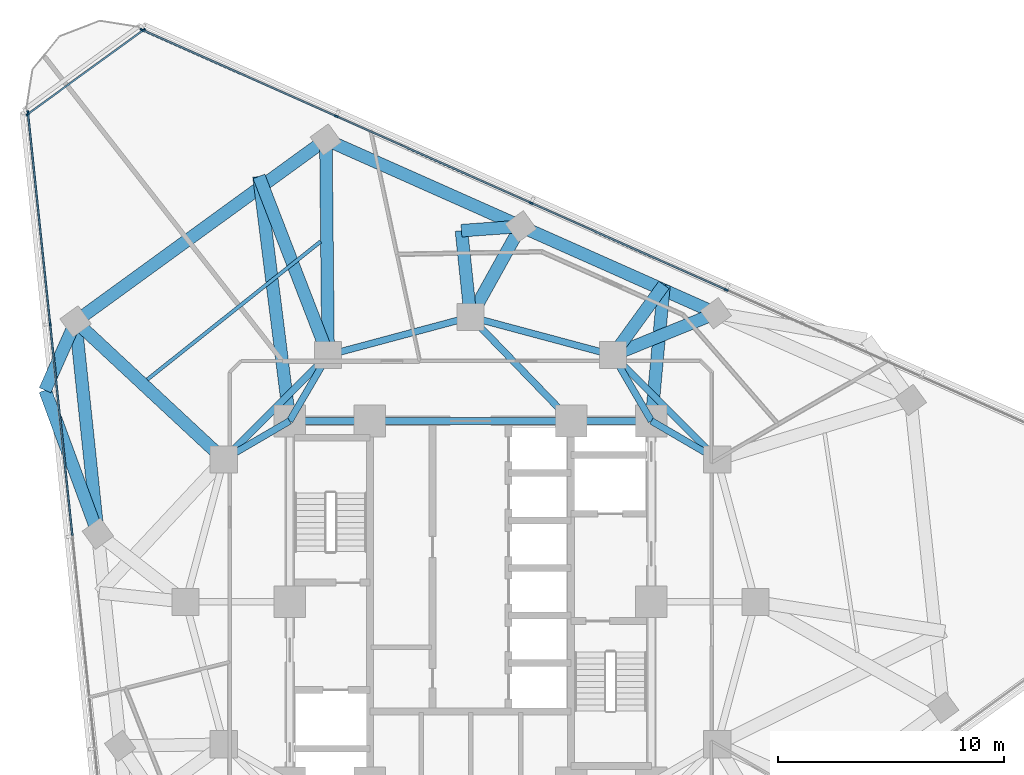
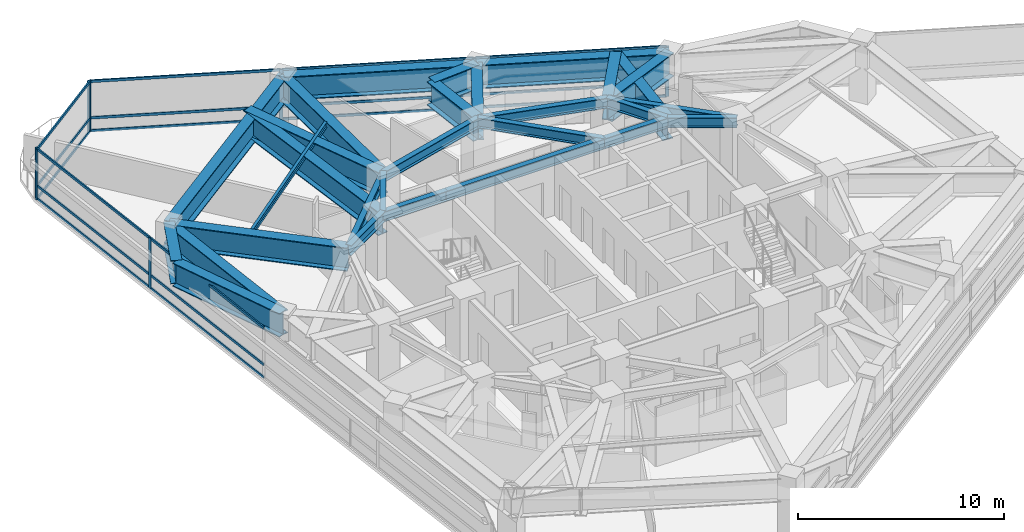
# One storey, part 5 of 14: 29 beams, 26 members, 3 elements without a shape of their own.
"""IFC4 building model written with IfcOpenShell, lengths in metres."""

import ifcopenshell
import ifcopenshell.guid

model = None  # the IFC model being written
_history = None  # IfcOwnerHistory: only IFC2X3 demands one
_inside = {}  # id of a spatial element -> (the spatial element, [elements in it])
_under = {}  # id of a project, library or spatial element -> (it, [spatial elements below it])
_declared = {}  # id of a project -> (the project, [libraries it declares])
_typed = {}  # id of a type object -> (the type object, [elements of that type])
_made_of = {}  # id of a material, layer set ... -> (it, [elements and type objects made of it])


def new_model(schema):
    """Start an empty IFC model of exactly this schema.

    Asked for "IFC4X3", IfcOpenShell would pick the latest addendum, in which some entities
    have other attributes; the version numbers below select the first issue.
    IFC2X3 requires an IfcOwnerHistory on every rooted entity: one is made here for all.
    """
    global model, _history
    if schema == "IFC4X3":
        model = ifcopenshell.file(schema_version=(4, 3, 0, 0))
    else:
        model = ifcopenshell.file(schema=schema)
    _inside.clear()
    _under.clear()
    _declared.clear()
    _typed.clear()
    _made_of.clear()
    _history = None
    if model.schema == "IFC2X3":
        org = make("IfcOrganization", Name="unknown")
        user = make(
            "IfcPersonAndOrganization",
            ThePerson=make("IfcPerson", FamilyName="unknown"),
            TheOrganization=org,
        )
        app = make(
            "IfcApplication",
            ApplicationDeveloper=org,
            Version="unknown",
            ApplicationFullName="unknown",
            ApplicationIdentifier="unknown",
        )
        _history = make(
            "IfcOwnerHistory",
            OwningUser=user,
            OwningApplication=app,
            ChangeAction="ADDED",
            CreationDate=0,
        )
    return model


def make(cls, **values):
    """One entity of the class cls with the attributes given. An attribute that is None is left unset."""
    return model.create_entity(
        cls, **{name: value for name, value in values.items() if value is not None}
    )


def rooted(cls, **values):
    """An entity with a GlobalId (a new one), such as an element, a storey or a relation."""
    return make(cls, GlobalId=ifcopenshell.guid.new(), OwnerHistory=_history, **values)


def si_unit(unit_type, name, prefix=None):
    """IfcSIUnit, for example si_unit("LENGTHUNIT", "METRE", prefix="MILLI")."""
    return make("IfcSIUnit", UnitType=unit_type, Prefix=prefix, Name=name)


def assignment(units):
    """IfcUnitAssignment: the units of a project."""
    return None if units is None else make("IfcUnitAssignment", Units=units)


def point(xyz):
    """IfcCartesianPoint."""
    return None if xyz is None else make("IfcCartesianPoint", Coordinates=xyz)


def direction(xyz):
    """IfcDirection."""
    return None if xyz is None else make("IfcDirection", DirectionRatios=xyz)


def frame(location, z_axis=None, x_axis=None):
    """IfcAxis2Placement3D, a coordinate frame: its origin and axes. An axis left out is left unset."""
    return make(
        "IfcAxis2Placement3D",
        Location=point(location),
        Axis=direction(z_axis),
        RefDirection=direction(x_axis),
    )


def frame_2d(location, x_axis=None):
    """IfcAxis2Placement2D, a coordinate frame in the plane: its origin and x axis."""
    return make(
        "IfcAxis2Placement2D", Location=point(location), RefDirection=direction(x_axis)
    )


def origin():
    """The frame at (0, 0, 0) with its axes left unset."""
    return frame((0.0, 0.0, 0.0))


def origin_2d():
    """The frame at (0, 0) in the plane with its x axis left unset."""
    return frame_2d((0.0, 0.0))


def place(relative_to, where):
    """IfcLocalPlacement: puts the frame where relative to a parent placement (None: the world)."""
    return make(
        "IfcLocalPlacement", PlacementRelTo=relative_to, RelativePlacement=where
    )


def context(
    kind, dimensions, precision=None, world=None, true_north=None, identifier=None
):
    """IfcGeometricRepresentationContext, for example the 3D "Model" context."""
    return make(
        "IfcGeometricRepresentationContext",
        ContextIdentifier=identifier,
        ContextType=kind,
        CoordinateSpaceDimension=dimensions,
        Precision=precision,
        WorldCoordinateSystem=world,
        TrueNorth=true_north,
    )


def subcontext(parent, identifier, kind, view, scale=None):
    """IfcGeometricRepresentationSubContext, for example "Body" below "Model"."""
    return make(
        "IfcGeometricRepresentationSubContext",
        ContextIdentifier=identifier,
        ContextType=kind,
        ParentContext=parent,
        TargetScale=scale,
        TargetView=view,
    )


def project(units=None, contexts=None):
    """IfcProject with its units and contexts."""
    return rooted(
        "IfcProject",
        Name="project",
        RepresentationContexts=contexts,
        UnitsInContext=assignment(units),
    )


def spatial(cls, under=None, at=None, **own):
    """A site, building, storey or space (cls), placed at a placement, below another one or the project."""
    s = rooted(cls, ObjectPlacement=at, **own)
    if under is not None:
        _under.setdefault(under.id(), (under, []))[1].append(s)
    return s


def profile(cls, at=None, kind="AREA", **sizes):
    """A parametric profile (cls). Its sizes go by their IFC names, for example OverallWidth=200.0."""
    return make(cls, ProfileType=kind, Position=at, **sizes)


def rectangle(**sizes):
    """IfcRectangleProfileDef."""
    return profile("IfcRectangleProfileDef", **sizes)


def i_section(**sizes):
    """IfcIShapeProfileDef."""
    return profile("IfcIShapeProfileDef", **sizes)


def extrude(swept, where, along, depth):
    """IfcExtrudedAreaSolid: the profile swept, set in the frame where, extruded along a direction by depth."""
    return make(
        "IfcExtrudedAreaSolid",
        SweptArea=swept,
        Position=where,
        ExtrudedDirection=direction(along),
        Depth=depth,
    )


def shape(context_of_items, identifier, shape_type, items):
    """IfcShapeRepresentation: the items that make up one representation, for example the "Body"."""
    return make(
        "IfcShapeRepresentation",
        ContextOfItems=context_of_items,
        RepresentationIdentifier=identifier,
        RepresentationType=shape_type,
        Items=items,
    )


def material(Name=None, Category=None):
    """IfcMaterial."""
    return make("IfcMaterial", Name=Name, Category=Category)


def layer(
    of_material, thickness, ventilated=None, Name=None, Category=None, Priority=None
):
    """IfcMaterialLayer: one layer of a wall or slab, of a material (None: an air gap)."""
    return make(
        "IfcMaterialLayer",
        Material=of_material,
        LayerThickness=thickness,
        IsVentilated=ventilated,
        Name=Name,
        Category=Category,
        Priority=Priority,
    )


def layer_set(layers, Name=None):
    """IfcMaterialLayerSet."""
    return make("IfcMaterialLayerSet", MaterialLayers=layers, LayerSetName=Name)


def material_profile(
    of_material, cross_section, Name=None, Category=None, Priority=None
):
    """IfcMaterialProfile: a cross section and its material."""
    return make(
        "IfcMaterialProfile",
        Name=Name,
        Material=of_material,
        Profile=cross_section,
        Priority=Priority,
        Category=Category,
    )


def profile_set(profiles, Name=None, composite=None):
    """IfcMaterialProfileSet."""
    return make(
        "IfcMaterialProfileSet",
        Name=Name,
        MaterialProfiles=profiles,
        CompositeProfile=composite,
    )


def made_of(thing, what):
    """Note that an element or type object is made of a material, layer set ...; save() writes the relation."""
    if what is not None:
        _made_of.setdefault(what.id(), (what, []))[1].append(thing)
    return thing


def type_object(cls, material=None, **own):
    """A type object (cls), such as IfcWallType, which elements share."""
    return made_of(rooted(cls, **own), material)


def element(
    cls,
    number,
    at=None,
    inside=None,
    cuts=None,
    type_object=None,
    material=None,
    context=None,
    identifier="Body",
    shape_type=None,
    held_by="IfcProductDefinitionShape",
    body=None,
    shapes=None,
    **own,
):
    """One element of the class cls, such as IfcWall. Its Tag is "e" and its number.

    at: its placement. inside: the storey or other place that contains it. cuts: it is an
    opening in that element (IfcRelVoidsElement). A single representation is given by context,
    identifier, shape_type and body (its items); several are given by shapes. held_by: the class
    of the entity that holds the representations. save() writes the other relations.
    """
    e = rooted(cls, Tag="e%d" % number, ObjectPlacement=at, **own)
    if body is not None:
        shapes = [shape(context, identifier, shape_type, body)]
    if shapes is not None:
        e.Representation = make(held_by, Representations=shapes)
    if inside is not None:
        _inside.setdefault(inside.id(), (inside, []))[1].append(e)
    if cuts is not None:
        rooted(
            "IfcRelVoidsElement", RelatingBuildingElement=cuts, RelatedOpeningElement=e
        )
    if type_object is not None:
        _typed.setdefault(type_object.id(), (type_object, []))[1].append(e)
    return made_of(e, material)


def aggregate(whole, parts):
    """IfcRelAggregates: a whole, such as a stair, and the parts it consists of."""
    return rooted("IfcRelAggregates", RelatingObject=whole, RelatedObjects=parts)


def save(model, path):
    """Write the relations noted so far, then the file.

    IfcRelAggregates (storeys below a building ...), IfcRelContainedInSpatialStructure (elements
    in a storey), IfcRelDefinesByType, IfcRelAssociatesMaterial and IfcRelDeclares: one each for
    every whole, place, type object, material and project.
    """
    for whole, parts in _under.values():
        aggregate(whole, parts)
    for where, things in _inside.values():
        rooted(
            "IfcRelContainedInSpatialStructure",
            RelatedElements=things,
            RelatingStructure=where,
        )
    for kind, things in _typed.values():
        rooted("IfcRelDefinesByType", RelatedObjects=things, RelatingType=kind)
    for what, things in _made_of.values():
        rooted("IfcRelAssociatesMaterial", RelatedObjects=things, RelatingMaterial=what)
    for by, libraries in _declared.values():
        rooted("IfcRelDeclares", RelatingContext=by, RelatedDefinitions=libraries)
    model.write(path)


model = new_model("IFC4")

# Units and contexts
model_context = context("Model", 3, precision=1e-05, world=origin(), true_north=direction((0.0, 1.0)))
body_context = subcontext(model_context, "Body", "Model", "MODEL_VIEW")
ifc_project = project(units=[si_unit("LENGTHUNIT", "METRE"), si_unit("AREAUNIT", "SQUARE_METRE"), si_unit("VOLUMEUNIT", "CUBIC_METRE"), si_unit("PLANEANGLEUNIT", "RADIAN"), si_unit("MASSUNIT", "GRAM", prefix="KILO")], contexts=[model_context])

# Site, building, storey
site_placement = place(None, origin())
site = spatial("IfcSite", under=ifc_project, at=site_placement, CompositionType="ELEMENT")
building_placement = place(site_placement, origin())
building = spatial("IfcBuilding", under=site, at=building_placement, Name="Terralouvre Media Tower", CompositionType="ELEMENT")
storey_placement = place(building_placement, frame((0.0, 0.0, 180.5)))
storey = spatial("IfcBuildingStorey", under=building, at=storey_placement, Name="L46", CompositionType="ELEMENT", Elevation=180.5)

# Beam
ifc_material_1 = material(Name="Structural steel S355J2", Category="steel")
ifc_material_profile_1 = material_profile(ifc_material_1, i_section(OverallWidth=0.159912109375, OverallDepth=0.330078125, WebThickness=0.007568359375, FlangeThickness=0.011474609375, at=origin_2d()), Name="IPE 330")
ifc_profile_set_1 = profile_set([ifc_material_profile_1], Name="Structural steel S355J2")
beam_type_1 = type_object("IfcBeamType", Name="Composite Floor Joist J-IPE330 (IPE 330)", PredefinedType="JOIST", material=ifc_profile_set_1)
beam_1_placement = place(storey_placement, frame((-6.629638671875, 15.935302734375, 3.3349609375), z_axis=(-0.782378144432, -0.622803692278, 0.0), x_axis=(0.622803692278, -0.782378144432, 0.0)))
element("IfcBeam", 1, at=beam_1_placement, inside=storey, type_object=beam_type_1, Name="L46 Framing Beam JT-L46-05", PredefinedType="JOIST", context=body_context, shape_type="SweptSolid", body=[
    extrude(i_section(OverallWidth=0.159912109375, OverallDepth=0.330078125, WebThickness=0.007568359375, FlangeThickness=0.011474609375, at=origin_2d()), origin(), (0.0, 0.0, 1.0), 9.80078125),
])

# Curtain wall, members
ifc_material_2 = material(Name="Low-iron laminated double glazing with solar-control coating", Category="glass")
ifc_layer_1 = layer(ifc_material_2, 0.1650390625, Name="Production Studio Tower Curtain Wall CW-03")
ifc_layer_set_1 = layer_set([ifc_layer_1], Name="Low-iron laminated double glazing with solar-control coating")
curtain_wall_type_1 = type_object("IfcCurtainWallType", Name="Production Studio Tower Curtain Wall CW-03", PredefinedType="NOTDEFINED", material=ifc_layer_set_1)
curtain_wall_1_placement = place(storey_placement, origin())
curtain_wall_1 = element("IfcCurtainWall", 2, at=curtain_wall_1_placement, inside=storey, type_object=curtain_wall_type_1, Name="L46 Facade Curtain Wall F1", PredefinedType="NOTDEFINED")
ifc_material_3 = material(Name="Anodised extruded aluminium 6063-T6", Category="aluminium")
ifc_material_profile_2 = material_profile(ifc_material_3, rectangle(XDim=0.074951171875, YDim=0.14990234375, at=origin_2d()), Name="ALU 75x150")
ifc_profile_set_2 = profile_set([ifc_material_profile_2], Name="Anodised extruded aluminium 6063-T6")
member_type_1 = type_object("IfcMemberType", Name="Curtain-Wall Horizontal Transom TR-150", PredefinedType="USERDEFINED", material=ifc_profile_set_2)
member_1_placement = place(storey_placement, frame((11.27587890625, 13.8134765625, 0.03759765625), z_axis=(-0.913546899195, 0.40673340528, 0.0), x_axis=(-0.40673340528, -0.913546899195, 0.0)))
member_1 = element("IfcMember", 3, at=member_1_placement, type_object=member_type_1, Name="CW-03 transom 3.1", ObjectType="TRANSOM", PredefinedType="USERDEFINED", context=body_context, shape_type="SweptSolid", body=[
    extrude(rectangle(XDim=0.074951171875, YDim=0.14990234375, at=origin_2d()), origin(), (0.0, 0.0, 1.0), 9.364990234375),
])
member_2_placement = place(storey_placement, frame((11.27587890625, 13.8134765625, 0.800048828125), z_axis=(-0.913546899195, 0.40673340528, 0.0), x_axis=(-0.40673340528, -0.913546899195, 0.0)))
member_2 = element("IfcMember", 4, at=member_2_placement, type_object=member_type_1, Name="CW-03 transom 3.2", ObjectType="TRANSOM", PredefinedType="USERDEFINED", context=body_context, shape_type="SweptSolid", body=[
    extrude(rectangle(XDim=0.074951171875, YDim=0.14990234375, at=origin_2d()), origin(), (0.0, 0.0, 1.0), 9.364990234375),
])
member_3_placement = place(storey_placement, frame((11.27587890625, 13.8134765625, 2.96240234375), z_axis=(-0.913546899195, 0.40673340528, 0.0), x_axis=(-0.40673340528, -0.913546899195, 0.0)))
member_3 = element("IfcMember", 5, at=member_3_placement, type_object=member_type_1, Name="CW-03 transom 3.3", ObjectType="TRANSOM", PredefinedType="USERDEFINED", context=body_context, shape_type="SweptSolid", body=[
    extrude(rectangle(XDim=0.074951171875, YDim=0.14990234375, at=origin_2d()), origin(), (0.0, 0.0, 1.0), 9.364990234375),
])
member_4_placement = place(storey_placement, frame((2.65185546875, 17.653076171875, 0.03759765625), z_axis=(-0.913546899195, 0.40673340528, 0.0), x_axis=(-0.40673340528, -0.913546899195, 0.0)))
member_4 = element("IfcMember", 6, at=member_4_placement, type_object=member_type_1, Name="CW-03 transom 4.1", ObjectType="TRANSOM", PredefinedType="USERDEFINED", context=body_context, shape_type="SweptSolid", body=[
    extrude(rectangle(XDim=0.074951171875, YDim=0.14990234375, at=origin_2d()), origin(), (0.0, 0.0, 1.0), 9.364990234375),
])
member_5_placement = place(storey_placement, frame((2.65185546875, 17.653076171875, 0.800048828125), z_axis=(-0.913546899195, 0.40673340528, 0.0), x_axis=(-0.40673340528, -0.913546899195, 0.0)))
member_5 = element("IfcMember", 7, at=member_5_placement, type_object=member_type_1, Name="CW-03 transom 4.2", ObjectType="TRANSOM", PredefinedType="USERDEFINED", context=body_context, shape_type="SweptSolid", body=[
    extrude(rectangle(XDim=0.074951171875, YDim=0.14990234375, at=origin_2d()), origin(), (0.0, 0.0, 1.0), 9.364990234375),
])
member_6_placement = place(storey_placement, frame((2.65185546875, 17.653076171875, 2.96240234375), z_axis=(-0.913546899195, 0.40673340528, 0.0), x_axis=(-0.40673340528, -0.913546899195, 0.0)))
member_6 = element("IfcMember", 8, at=member_6_placement, type_object=member_type_1, Name="CW-03 transom 4.3", ObjectType="TRANSOM", PredefinedType="USERDEFINED", context=body_context, shape_type="SweptSolid", body=[
    extrude(rectangle(XDim=0.074951171875, YDim=0.14990234375, at=origin_2d()), origin(), (0.0, 0.0, 1.0), 9.364990234375),
])
member_7_placement = place(storey_placement, frame((-5.971923828125, 21.49267578125, 0.03759765625), z_axis=(-0.913553401339, 0.406718800774, 0.0), x_axis=(-0.406718800774, -0.913553401339, 0.0)))
member_7 = element("IfcMember", 9, at=member_7_placement, type_object=member_type_1, Name="CW-03 transom 5.1", ObjectType="TRANSOM", PredefinedType="USERDEFINED", context=body_context, shape_type="SweptSolid", body=[
    extrude(rectangle(XDim=0.074951171875, YDim=0.14990234375, at=origin_2d()), origin(), (0.0, 0.0, 1.0), 9.32763671875),
])
member_8_placement = place(storey_placement, frame((-5.971923828125, 21.49267578125, 0.800048828125), z_axis=(-0.913553401339, 0.406718800774, 0.0), x_axis=(-0.406718800774, -0.913553401339, 0.0)))
member_8 = element("IfcMember", 10, at=member_8_placement, type_object=member_type_1, Name="CW-03 transom 5.2", ObjectType="TRANSOM", PredefinedType="USERDEFINED", context=body_context, shape_type="SweptSolid", body=[
    extrude(rectangle(XDim=0.074951171875, YDim=0.14990234375, at=origin_2d()), origin(), (0.0, 0.0, 1.0), 9.32763671875),
])
member_9_placement = place(storey_placement, frame((-5.971923828125, 21.49267578125, 2.96240234375), z_axis=(-0.913553401339, 0.406718800774, 0.0), x_axis=(-0.406718800774, -0.913553401339, 0.0)))
member_9 = element("IfcMember", 11, at=member_9_placement, type_object=member_type_1, Name="CW-03 transom 5.3", ObjectType="TRANSOM", PredefinedType="USERDEFINED", context=body_context, shape_type="SweptSolid", body=[
    extrude(rectangle(XDim=0.074951171875, YDim=0.14990234375, at=origin_2d()), origin(), (0.0, 0.0, 1.0), 9.32763671875),
])

curtain_wall_2_placement = place(storey_placement, origin())
curtain_wall_2 = element("IfcCurtainWall", 12, at=curtain_wall_2_placement, inside=storey, type_object=curtain_wall_type_1, Name="L46 Facade Curtain Wall F2", PredefinedType="NOTDEFINED")
member_10_placement = place(storey_placement, frame((-19.5703125, 21.59765625, 0.03759765625), z_axis=(0.104540358364, -0.994520645071, 0.0), x_axis=(0.994520645071, 0.104540358364, 0.0)))
member_10 = element("IfcMember", 13, at=member_10_placement, type_object=member_type_1, Name="CW-03 transom 1.1", ObjectType="TRANSOM", PredefinedType="USERDEFINED", context=body_context, shape_type="SweptSolid", body=[
    extrude(rectangle(XDim=0.074951171875, YDim=0.14990234375, at=origin_2d()), origin(), (0.0, 0.0, 1.0), 9.327392578125),
])
member_11_placement = place(storey_placement, frame((-19.5703125, 21.59765625, 0.800048828125), z_axis=(0.104540358364, -0.994520645071, 0.0), x_axis=(0.994520645071, 0.104540358364, 0.0)))
member_11 = element("IfcMember", 14, at=member_11_placement, type_object=member_type_1, Name="CW-03 transom 1.2", ObjectType="TRANSOM", PredefinedType="USERDEFINED", context=body_context, shape_type="SweptSolid", body=[
    extrude(rectangle(XDim=0.074951171875, YDim=0.14990234375, at=origin_2d()), origin(), (0.0, 0.0, 1.0), 9.327392578125),
])
member_12_placement = place(storey_placement, frame((-19.5703125, 21.59765625, 2.96240234375), z_axis=(0.104540358364, -0.994520645071, 0.0), x_axis=(0.994520645071, 0.104540358364, 0.0)))
member_12 = element("IfcMember", 15, at=member_12_placement, type_object=member_type_1, Name="CW-03 transom 1.3", ObjectType="TRANSOM", PredefinedType="USERDEFINED", context=body_context, shape_type="SweptSolid", body=[
    extrude(rectangle(XDim=0.074951171875, YDim=0.14990234375, at=origin_2d()), origin(), (0.0, 0.0, 1.0), 9.327392578125),
])
member_13_placement = place(storey_placement, frame((-18.58740234375, 12.24658203125, 0.03759765625), z_axis=(0.104538223456, -0.994520869483, 0.0), x_axis=(0.994520869483, 0.104538223456, 0.0)))
member_13 = element("IfcMember", 16, at=member_13_placement, type_object=member_type_1, Name="CW-03 transom 2.1", ObjectType="TRANSOM", PredefinedType="USERDEFINED", context=body_context, shape_type="SweptSolid", body=[
    extrude(rectangle(XDim=0.074951171875, YDim=0.14990234375, at=origin_2d()), origin(), (0.0, 0.0, 1.0), 9.364990234375),
])
member_14_placement = place(storey_placement, frame((-18.58740234375, 12.24658203125, 0.800048828125), z_axis=(0.104538223456, -0.994520869483, 0.0), x_axis=(0.994520869483, 0.104538223456, 0.0)))
member_14 = element("IfcMember", 17, at=member_14_placement, type_object=member_type_1, Name="CW-03 transom 2.2", ObjectType="TRANSOM", PredefinedType="USERDEFINED", context=body_context, shape_type="SweptSolid", body=[
    extrude(rectangle(XDim=0.074951171875, YDim=0.14990234375, at=origin_2d()), origin(), (0.0, 0.0, 1.0), 9.364990234375),
])
member_15_placement = place(storey_placement, frame((-18.58740234375, 12.24658203125, 2.96240234375), z_axis=(0.104538223456, -0.994520869483, 0.0), x_axis=(0.994520869483, 0.104538223456, 0.0)))
member_15 = element("IfcMember", 18, at=member_15_placement, type_object=member_type_1, Name="CW-03 transom 2.3", ObjectType="TRANSOM", PredefinedType="USERDEFINED", context=body_context, shape_type="SweptSolid", body=[
    extrude(rectangle(XDim=0.074951171875, YDim=0.14990234375, at=origin_2d()), origin(), (0.0, 0.0, 1.0), 9.364990234375),
])

ifc_material_4 = material(Name="Low-iron laminated double glazing with solar-control coating", Category="glass")
ifc_layer_2 = layer(ifc_material_4, 0.1650390625, Name="Rounded Wind-Corner Curved Glazing CW-04")
ifc_layer_set_2 = layer_set([ifc_layer_2], Name="Low-iron laminated double glazing with solar-control coating")
curtain_wall_type_2 = type_object("IfcCurtainWallType", Name="Rounded Wind-Corner Curved Glazing CW-04", PredefinedType="NOTDEFINED", material=ifc_layer_set_2)
curtain_wall_3_placement = place(storey_placement, origin())
curtain_wall_3 = element("IfcCurtainWall", 19, at=curtain_wall_3_placement, inside=storey, type_object=curtain_wall_type_2, Name="L46 Rounded Wind-Corner Curtain Wall C2", PredefinedType="NOTDEFINED")
member_16_placement = place(storey_placement, frame((-14.4912109375, 25.269287109375, 0.03759765625), z_axis=(-0.809012644162, -0.587791239801, 0.0), x_axis=(0.587791239801, -0.809012644162, 0.0)))
member_16 = element("IfcMember", 20, at=member_16_placement, type_object=member_type_1, Name="CW-04 transom 1.1", ObjectType="TRANSOM", PredefinedType="USERDEFINED", context=body_context, shape_type="SweptSolid", body=[
    extrude(rectangle(XDim=0.074951171875, YDim=0.14990234375, at=origin_2d()), origin(), (0.0, 0.0, 1.0), 6.258544921875),
])
member_17_placement = place(storey_placement, frame((-14.4912109375, 25.269287109375, 0.800048828125), z_axis=(-0.809012644162, -0.587791239801, 0.0), x_axis=(0.587791239801, -0.809012644162, 0.0)))
member_17 = element("IfcMember", 21, at=member_17_placement, type_object=member_type_1, Name="CW-04 transom 1.2", ObjectType="TRANSOM", PredefinedType="USERDEFINED", context=body_context, shape_type="SweptSolid", body=[
    extrude(rectangle(XDim=0.074951171875, YDim=0.14990234375, at=origin_2d()), origin(), (0.0, 0.0, 1.0), 6.258544921875),
])
member_18_placement = place(storey_placement, frame((-14.4912109375, 25.269287109375, 2.96240234375), z_axis=(-0.809012644162, -0.587791239801, 0.0), x_axis=(0.587791239801, -0.809012644162, 0.0)))
member_18 = element("IfcMember", 22, at=member_18_placement, type_object=member_type_1, Name="CW-04 transom 1.3", ObjectType="TRANSOM", PredefinedType="USERDEFINED", context=body_context, shape_type="SweptSolid", body=[
    extrude(rectangle(XDim=0.074951171875, YDim=0.14990234375, at=origin_2d()), origin(), (0.0, 0.0, 1.0), 6.258544921875),
])

# Member
ifc_material_5 = material(Name="Anodised extruded aluminium 6063-T6", Category="aluminium")
ifc_material_profile_3 = material_profile(ifc_material_5, rectangle(XDim=0.074951171875, YDim=0.179931640625, at=origin_2d()), Name="ALU 75x180")
ifc_profile_set_3 = profile_set([ifc_material_profile_3], Name="Anodised extruded aluminium 6063-T6")
member_type_2 = type_object("IfcMemberType", Name="Curtain-Wall Vertical Mullion ML-180", PredefinedType="MULLION", material=ifc_profile_set_3)
member_19_placement = place(storey_placement, frame((11.31005859375, 13.798095703125, 0.0), z_axis=(0.0, 0.0, 1.0), x_axis=(-0.406736616337, -0.913545469547, 0.0)))
member_19 = element("IfcMember", 23, at=member_19_placement, type_object=member_type_2, Name="CW-03 mullion 3", PredefinedType="MULLION", context=body_context, shape_type="SweptSolid", body=[
    extrude(rectangle(XDim=0.074951171875, YDim=0.179931640625, at=origin_2d()), origin(), (0.0, 0.0, 1.0), 3.0),
])

member_20_placement = place(storey_placement, frame((2.686279296875, 17.6376953125, 0.0), z_axis=(0.0, 0.0, 1.0), x_axis=(-0.406736616337, -0.913545469547, 0.0)))
member_20 = element("IfcMember", 24, at=member_20_placement, type_object=member_type_2, Name="CW-03 mullion 4", PredefinedType="MULLION", context=body_context, shape_type="SweptSolid", body=[
    extrude(rectangle(XDim=0.074951171875, YDim=0.179931640625, at=origin_2d()), origin(), (0.0, 0.0, 1.0), 3.0),
])

member_21_placement = place(storey_placement, frame((-5.937744140625, 21.477294921875, 0.0), z_axis=(0.0, 0.0, 1.0), x_axis=(-0.406736616337, -0.913545469547, 0.0)))
member_21 = element("IfcMember", 25, at=member_21_placement, type_object=member_type_2, Name="CW-03 mullion 5", PredefinedType="MULLION", context=body_context, shape_type="SweptSolid", body=[
    extrude(rectangle(XDim=0.074951171875, YDim=0.179931640625, at=origin_2d()), origin(), (0.0, 0.0, 1.0), 3.0),
])

member_22_placement = place(storey_placement, frame((-14.52734375, 25.3017578125, 0.0), z_axis=(0.0, 0.0, 1.0), x_axis=(-0.406736616337, -0.913545469547, 0.0)))
member_22 = element("IfcMember", 26, at=member_22_placement, type_object=member_type_2, Name="CW-03 mullion 6", PredefinedType="MULLION", context=body_context, shape_type="SweptSolid", body=[
    extrude(rectangle(XDim=0.074951171875, YDim=0.179931640625, at=origin_2d()), origin(), (0.0, 0.0, 1.0), 3.0),
])

aggregate(curtain_wall_1, [member_19, member_20, member_21, member_22, member_1, member_2, member_3, member_4, member_5, member_6, member_7, member_8, member_9])

member_23_placement = place(storey_placement, frame((-19.57421875, 21.635009765625, 0.0), z_axis=(0.0, 0.0, 1.0), x_axis=(0.994521904516, 0.104528376236, 0.0)))
member_23 = element("IfcMember", 27, at=member_23_placement, type_object=member_type_2, Name="CW-03 mullion 1", PredefinedType="MULLION", context=body_context, shape_type="SweptSolid", body=[
    extrude(rectangle(XDim=0.074951171875, YDim=0.179931640625, at=origin_2d()), origin(), (0.0, 0.0, 1.0), 3.0),
])

member_24_placement = place(storey_placement, frame((-18.59130859375, 12.283935546875, 0.0), z_axis=(0.0, 0.0, 1.0), x_axis=(0.994521904516, 0.104528376236, 0.0)))
member_24 = element("IfcMember", 28, at=member_24_placement, type_object=member_type_2, Name="CW-03 mullion 2", PredefinedType="MULLION", context=body_context, shape_type="SweptSolid", body=[
    extrude(rectangle(XDim=0.074951171875, YDim=0.179931640625, at=origin_2d()), origin(), (0.0, 0.0, 1.0), 3.0),
])

aggregate(curtain_wall_2, [member_23, member_24, member_10, member_11, member_12, member_13, member_14, member_15])

member_25_placement = place(storey_placement, frame((-14.4609375, 25.291259765625, 0.0), z_axis=(0.0, 0.0, 1.0), x_axis=(0.587784641221, -0.809017438344, 0.0)))
member_25 = element("IfcMember", 29, at=member_25_placement, type_object=member_type_2, Name="CW-04 mullion 1", PredefinedType="MULLION", context=body_context, shape_type="SweptSolid", body=[
    extrude(rectangle(XDim=0.074951171875, YDim=0.179931640625, at=origin_2d()), origin(), (0.0, 0.0, 1.0), 3.0),
])

member_26_placement = place(storey_placement, frame((-19.584716796875, 21.568603515625, 0.0), z_axis=(0.0, 0.0, 1.0), x_axis=(0.587784641221, -0.809017438344, 0.0)))
member_26 = element("IfcMember", 30, at=member_26_placement, type_object=member_type_2, Name="CW-04 mullion 2", PredefinedType="MULLION", context=body_context, shape_type="SweptSolid", body=[
    extrude(rectangle(XDim=0.074951171875, YDim=0.179931640625, at=origin_2d()), origin(), (0.0, 0.0, 1.0), 3.0),
])

aggregate(curtain_wall_3, [member_25, member_26, member_16, member_17, member_18])

# Beams
ifc_material_6 = material(Name="Structural steel S460M", Category="steel")
ifc_material_profile_4 = material_profile(ifc_material_6, i_section(OverallWidth=0.300048828125, OverallDepth=0.60009765625, WebThickness=0.015380859375, FlangeThickness=0.030029296875, at=origin_2d()), Name="HEB 600")
ifc_profile_set_4 = profile_set([ifc_material_profile_4], Name="Structural steel S460M")
beam_type_2 = type_object("IfcBeamType", Name="Primary Floor Girder B-HEB600 (HEB 600)", PredefinedType="BEAM", material=ifc_profile_set_4)
beam_2_placement = place(storey_placement, frame((8.0, 8.0, 3.199951171875), z_axis=(-1.0, 0.0, 0.0), x_axis=(0.0, -1.0, 0.0)))
element("IfcBeam", 31, at=beam_2_placement, inside=storey, type_object=beam_type_2, Name="L46 Framing Beam BM-L46-CPR06", PredefinedType="BEAM", context=body_context, shape_type="SweptSolid", body=[
    extrude(i_section(OverallWidth=0.300048828125, OverallDepth=0.60009765625, WebThickness=0.015380859375, FlangeThickness=0.030029296875, at=origin_2d()), origin(), (0.0, 0.0, 1.0), 3.550048828125),
])
beam_3_placement = place(storey_placement, frame((4.449951171875, 8.0, 3.199951171875), z_axis=(-1.0, 0.0, 0.0), x_axis=(0.0, -1.0, 0.0)))
element("IfcBeam", 32, at=beam_3_placement, inside=storey, type_object=beam_type_2, Name="L46 Framing Beam BM-L46-CPR07", PredefinedType="BEAM", context=body_context, shape_type="SweptSolid", body=[
    extrude(i_section(OverallWidth=0.300048828125, OverallDepth=0.60009765625, WebThickness=0.015380859375, FlangeThickness=0.030029296875, at=origin_2d()), origin(), (0.0, 0.0, 1.0), 8.89990234375),
])
beam_4_placement = place(storey_placement, frame((-4.449951171875, 8.0, 3.199951171875), z_axis=(-1.0, 0.0, 0.0), x_axis=(0.0, -1.0, 0.0)))
element("IfcBeam", 33, at=beam_4_placement, inside=storey, type_object=beam_type_2, Name="L46 Framing Beam BM-L46-CPR08", PredefinedType="BEAM", context=body_context, shape_type="SweptSolid", body=[
    extrude(i_section(OverallWidth=0.300048828125, OverallDepth=0.60009765625, WebThickness=0.015380859375, FlangeThickness=0.030029296875, at=origin_2d()), origin(), (0.0, 0.0, 1.0), 3.550048828125),
])
beam_5_placement = place(storey_placement, frame((10.911865234375, 6.300048828125, 3.199951171875), z_axis=(-0.707106781187, 0.707106781187, 0.0), x_axis=(-0.707106781187, -0.707106781187, 0.0)))
element("IfcBeam", 34, at=beam_5_placement, inside=storey, type_object=beam_type_2, Name="L46 Framing Beam BM-L46-MR07", PredefinedType="BEAM", context=body_context, shape_type="SweptSolid", body=[
    extrude(i_section(OverallWidth=0.300048828125, OverallDepth=0.60009765625, WebThickness=0.015380859375, FlangeThickness=0.030029296875, at=origin_2d()), origin(), (0.0, 0.0, 1.0), 6.52197265625),
])
for number, where, z_axis, x_axis, name in (
    (35, (6.300048828125, 10.911865234375, 3.199951171875), (-0.965920481897, 0.258838989821, 0.0), (-0.258838989821, -0.965920481897, 0.0), "L46 Framing Beam BM-L46-MR08"),
    (36, (0.0, 12.60009765625, 3.199951171875), (-0.965920481897, -0.258838989821, 0.0), (0.258838989821, -0.965920481897, 0.0), "L46 Framing Beam BM-L46-MR09"),
):
    element("IfcBeam", number, at=place(storey_placement, frame(where, z_axis=z_axis, x_axis=x_axis)), inside=storey, type_object=beam_type_2, Name=name, PredefinedType="BEAM", context=body_context, shape_type="SweptSolid", body=[
        extrude(i_section(OverallWidth=0.300048828125, OverallDepth=0.60009765625, WebThickness=0.015380859375, FlangeThickness=0.030029296875, at=origin_2d()), origin(), (0.0, 0.0, 1.0), 6.522216796875),
    ])
beam_6_placement = place(storey_placement, frame((-6.300048828125, 10.911865234375, 3.199951171875), z_axis=(-0.707106781187, -0.707106781187, 0.0), x_axis=(0.707106781187, -0.707106781187, 0.0)))
element("IfcBeam", 37, at=beam_6_placement, inside=storey, type_object=beam_type_2, Name="L46 Framing Beam BM-L46-MR10", PredefinedType="BEAM", context=body_context, shape_type="SweptSolid", body=[
    extrude(i_section(OverallWidth=0.300048828125, OverallDepth=0.60009765625, WebThickness=0.015380859375, FlangeThickness=0.030029296875, at=origin_2d()), origin(), (0.0, 0.0, 1.0), 6.52197265625),
])
for number, where, z_axis, x_axis, name in (
    (38, (8.0, 8.0, 3.199951171875), (0.863602894532, -0.504172629717, 0.0), (0.504172629717, 0.863602894532, 0.0), "L46 Framing Beam BM-L46-CM07"),
    (39, (8.0, 8.0, 3.199951171875), (-0.504172629717, 0.863602894532, 0.0), (-0.863602894532, -0.504172629717, 0.0), "L46 Framing Beam BM-L46-CM08"),
):
    element("IfcBeam", number, at=place(storey_placement, frame(where, z_axis=z_axis, x_axis=x_axis)), inside=storey, type_object=beam_type_2, Name=name, PredefinedType="BEAM", context=body_context, shape_type="SweptSolid", body=[
        extrude(i_section(OverallWidth=0.300048828125, OverallDepth=0.60009765625, WebThickness=0.015380859375, FlangeThickness=0.030029296875, at=origin_2d()), origin(), (0.0, 0.0, 1.0), 3.371826171875),
    ])
beam_7_placement = place(storey_placement, frame((4.449951171875, 8.0, 3.199951171875), z_axis=(-0.695279715726, 0.718739255155, 0.0), x_axis=(-0.718739255155, -0.695279715726, 0.0)))
element("IfcBeam", 40, at=beam_7_placement, inside=storey, type_object=beam_type_2, Name="L46 Framing Beam BM-L46-CM09", PredefinedType="BEAM", context=body_context, shape_type="SweptSolid", body=[
    extrude(i_section(OverallWidth=0.300048828125, OverallDepth=0.60009765625, WebThickness=0.015380859375, FlangeThickness=0.030029296875, at=origin_2d()), origin(), (0.0, 0.0, 1.0), 6.400146484375),
])
for number, where, z_axis, x_axis, name in (
    (41, (-8.0, 8.0, 3.199951171875), (0.504172629717, 0.863602894532, 0.0), (-0.863602894532, 0.504172629717, 0.0), "L46 Framing Beam BM-L46-CM10"),
    (42, (-8.0, 8.0, 3.199951171875), (-0.863602894532, -0.504172629717, 0.0), (0.504172629717, -0.863602894532, 0.0), "L46 Framing Beam BM-L46-CM11"),
):
    element("IfcBeam", number, at=place(storey_placement, frame(where, z_axis=z_axis, x_axis=x_axis)), inside=storey, type_object=beam_type_2, Name=name, PredefinedType="BEAM", context=body_context, shape_type="SweptSolid", body=[
        extrude(i_section(OverallWidth=0.300048828125, OverallDepth=0.60009765625, WebThickness=0.015380859375, FlangeThickness=0.030029296875, at=origin_2d()), origin(), (0.0, 0.0, 1.0), 3.371826171875),
    ])
ifc_material_7 = material(Name="Structural steel S460M", Category="steel")
ifc_material_profile_5 = material_profile(ifc_material_7, i_section(OverallWidth=0.56005859375, OverallDepth=1.39990234375, WebThickness=0.031982421875, FlangeThickness=0.050048828125, at=origin_2d()), Name="TG 1400x560")
ifc_profile_set_5 = profile_set([ifc_material_profile_5], Name="Structural steel S460M")
beam_type_3 = type_object("IfcBeamType", Name="Welded Transfer Girder TG-1400 (TG 1400x560)", PredefinedType="USERDEFINED", material=ifc_profile_set_5)
for number, where, z_axis, x_axis, name in (
    (43, (10.850341796875, 12.765869140625, 2.800048828125), (-0.913543659167, 0.406740682494, 0.0), (-0.406740682494, -0.913543659167, 0.0), "L46 Framing Beam BM-L46-PR08"),
    (44, (2.2265625, 16.60546875, 2.800048828125), (-0.913543659167, 0.406740682494, 0.0), (-0.406740682494, -0.913543659167, 0.0), "L46 Framing Beam BM-L46-PR09"),
):
    element("IfcBeam", number, at=place(storey_placement, frame(where, z_axis=z_axis, x_axis=x_axis)), inside=storey, type_object=beam_type_3, Name=name, ObjectType="TRANSFER GIRDER", PredefinedType="USERDEFINED", context=body_context, shape_type="SweptSolid", body=[
        extrude(i_section(OverallWidth=0.56005859375, OverallDepth=1.39990234375, WebThickness=0.031982421875, FlangeThickness=0.050048828125, at=origin_2d()), origin(), (0.0, 0.0, 1.0), 9.43994140625),
    ])
beam_8_placement = place(storey_placement, frame((-6.397216796875, 20.445068359375, 2.800048828125), z_axis=(-0.80901991627, -0.587781230628, 0.0), x_axis=(0.587781230628, -0.80901991627, 0.0)))
element("IfcBeam", 45, at=beam_8_placement, inside=storey, type_object=beam_type_3, Name="L46 Framing Beam BM-L46-PR10", ObjectType="TRANSFER GIRDER", PredefinedType="USERDEFINED", context=body_context, shape_type="SweptSolid", body=[
    extrude(i_section(OverallWidth=0.56005859375, OverallDepth=1.39990234375, WebThickness=0.031982421875, FlangeThickness=0.050048828125, at=origin_2d()), origin(), (0.0, 0.0, 1.0), 13.68359375),
])
beam_9_placement = place(storey_placement, frame((-17.467529296875, 12.402099609375, 2.800048828125), z_axis=(0.10453669331, -0.994521030321, 0.0), x_axis=(0.994521030321, 0.10453669331, 0.0)))
element("IfcBeam", 46, at=beam_9_placement, inside=storey, type_object=beam_type_3, Name="L46 Framing Beam BM-L46-PR11", ObjectType="TRANSFER GIRDER", PredefinedType="USERDEFINED", context=body_context, shape_type="SweptSolid", body=[
    extrude(i_section(OverallWidth=0.56005859375, OverallDepth=1.39990234375, WebThickness=0.031982421875, FlangeThickness=0.050048828125, at=origin_2d()), origin(), (0.0, 0.0, 1.0), 9.43994140625),
])
beam_10_placement = place(storey_placement, frame((6.300048828125, 10.911865234375, 2.800048828125), z_axis=(0.926079498884, 0.377328453403, 0.0), x_axis=(-0.377328453403, 0.926079498884, 0.0)))
element("IfcBeam", 47, at=beam_10_placement, inside=storey, type_object=beam_type_3, Name="L46 Framing Beam BM-L46-RD08", ObjectType="TRANSFER GIRDER", PredefinedType="USERDEFINED", context=body_context, shape_type="SweptSolid", body=[
    extrude(i_section(OverallWidth=0.56005859375, OverallDepth=1.39990234375, WebThickness=0.031982421875, FlangeThickness=0.050048828125, at=origin_2d()), origin(), (0.0, 0.0, 1.0), 4.91357421875),
])
beam_11_placement = place(storey_placement, frame((0.0, 12.60009765625, 2.800048828125), z_axis=(0.485869082881, 0.874031597999, 0.0), x_axis=(-0.874031597999, 0.485869082881, 0.0)))
element("IfcBeam", 48, at=beam_11_placement, inside=storey, type_object=beam_type_3, Name="L46 Framing Beam BM-L46-RD09", ObjectType="TRANSFER GIRDER", PredefinedType="USERDEFINED", context=body_context, shape_type="SweptSolid", body=[
    extrude(i_section(OverallWidth=0.56005859375, OverallDepth=1.39990234375, WebThickness=0.031982421875, FlangeThickness=0.050048828125, at=origin_2d()), origin(), (0.0, 0.0, 1.0), 4.58251953125),
])
beam_12_placement = place(storey_placement, frame((-6.300048828125, 10.911865234375, 2.800048828125), z_axis=(-0.010192054081, 0.999948059668, 0.0), x_axis=(-0.999948059668, -0.010192054081, 0.0)))
element("IfcBeam", 49, at=beam_12_placement, inside=storey, type_object=beam_type_3, Name="L46 Framing Beam BM-L46-RD10", ObjectType="TRANSFER GIRDER", PredefinedType="USERDEFINED", context=body_context, shape_type="SweptSolid", body=[
    extrude(i_section(OverallWidth=0.56005859375, OverallDepth=1.39990234375, WebThickness=0.031982421875, FlangeThickness=0.050048828125, at=origin_2d()), origin(), (0.0, 0.0, 1.0), 9.53369140625),
])
beam_13_placement = place(storey_placement, frame((-10.911865234375, 6.300048828125, 2.800048828125), z_axis=(-0.731977414873, 0.6813288957, 0.0), x_axis=(-0.6813288957, -0.731977414873, 0.0)))
element("IfcBeam", 50, at=beam_13_placement, inside=storey, type_object=beam_type_3, Name="L46 Framing Beam BM-L46-RD11", ObjectType="TRANSFER GIRDER", PredefinedType="USERDEFINED", context=body_context, shape_type="SweptSolid", body=[
    extrude(i_section(OverallWidth=0.56005859375, OverallDepth=1.39990234375, WebThickness=0.031982421875, FlangeThickness=0.050048828125, at=origin_2d()), origin(), (0.0, 0.0, 1.0), 8.9560546875),
])
beam_14_placement = place(storey_placement, frame((8.55517578125, 14.016357421875, 2.800048828125), z_axis=(-0.587713839807, -0.809068873767, 0.0), x_axis=(0.809068873767, -0.587713839807, 0.0)))
element("IfcBeam", 51, at=beam_14_placement, inside=storey, type_object=beam_type_3, Name="L46 Framing Beam BM-L46-TR06S1", ObjectType="TRANSFER GIRDER", PredefinedType="USERDEFINED", context=body_context, shape_type="SweptSolid", body=[
    extrude(i_section(OverallWidth=0.56005859375, OverallDepth=1.39990234375, WebThickness=0.031982421875, FlangeThickness=0.050048828125, at=origin_2d()), origin(), (0.0, 0.0, 1.0), 3.837158203125),
])
beam_15_placement = place(storey_placement, frame((8.55517578125, 14.016357421875, 2.800048828125), z_axis=(-0.091887336677, -0.995769409732, 0.0), x_axis=(0.995769409732, -0.091887336677, 0.0)))
element("IfcBeam", 52, at=beam_15_placement, inside=storey, type_object=beam_type_3, Name="L46 Framing Beam BM-L46-TR06S2", ObjectType="TRANSFER GIRDER", PredefinedType="USERDEFINED", context=body_context, shape_type="SweptSolid", body=[
    extrude(i_section(OverallWidth=0.56005859375, OverallDepth=1.39990234375, WebThickness=0.031982421875, FlangeThickness=0.050048828125, at=origin_2d()), origin(), (0.0, 0.0, 1.0), 6.0419921875),
])
beam_16_placement = place(storey_placement, frame((-0.40087890625, 16.416015625, 2.800048828125), z_axis=(0.997410487558, 0.071918838352, 0.0), x_axis=(-0.071918838352, 0.997410487558, 0.0)))
element("IfcBeam", 53, at=beam_16_placement, inside=storey, type_object=beam_type_3, Name="L46 Framing Beam BM-L46-TR07S1", ObjectType="TRANSFER GIRDER", PredefinedType="USERDEFINED", context=body_context, shape_type="SweptSolid", body=[
    extrude(i_section(OverallWidth=0.56005859375, OverallDepth=1.39990234375, WebThickness=0.031982421875, FlangeThickness=0.050048828125, at=origin_2d()), origin(), (0.0, 0.0, 1.0), 2.63427734375),
])
beam_17_placement = place(storey_placement, frame((-0.40087890625, 16.416015625, 2.800048828125), z_axis=(0.104479425033, -0.994527048272, 0.0), x_axis=(0.994527048272, 0.104479425033, 0.0)))
element("IfcBeam", 54, at=beam_17_placement, inside=storey, type_object=beam_type_3, Name="L46 Framing Beam BM-L46-TR07S2", ObjectType="TRANSFER GIRDER", PredefinedType="USERDEFINED", context=body_context, shape_type="SweptSolid", body=[
    extrude(i_section(OverallWidth=0.56005859375, OverallDepth=1.39990234375, WebThickness=0.031982421875, FlangeThickness=0.050048828125, at=origin_2d()), origin(), (0.0, 0.0, 1.0), 3.8369140625),
])
beam_18_placement = place(storey_placement, frame((-9.35693359375, 18.81591796875, 2.800048828125), z_axis=(0.360712022835, -0.932677241377, 0.0), x_axis=(0.932677241377, 0.360712022835, 0.0)))
element("IfcBeam", 55, at=beam_18_placement, inside=storey, type_object=beam_type_3, Name="L46 Framing Beam BM-L46-TR08S1", ObjectType="TRANSFER GIRDER", PredefinedType="USERDEFINED", context=body_context, shape_type="SweptSolid", body=[
    extrude(i_section(OverallWidth=0.56005859375, OverallDepth=1.39990234375, WebThickness=0.031982421875, FlangeThickness=0.050048828125, at=origin_2d()), origin(), (0.0, 0.0, 1.0), 8.474609375),
])
beam_19_placement = place(storey_placement, frame((-9.35693359375, 18.81591796875, 2.800048828125), z_axis=(0.12448127928, -0.992221956575, 0.0), x_axis=(0.992221956575, 0.12448127928, 0.0)))
element("IfcBeam", 56, at=beam_19_placement, inside=storey, type_object=beam_type_3, Name="L46 Framing Beam BM-L46-TR08S2", ObjectType="TRANSFER GIRDER", PredefinedType="USERDEFINED", context=body_context, shape_type="SweptSolid", body=[
    extrude(i_section(OverallWidth=0.56005859375, OverallDepth=1.39990234375, WebThickness=0.031982421875, FlangeThickness=0.050048828125, at=origin_2d()), origin(), (0.0, 0.0, 1.0), 10.900634765625),
])
beam_20_placement = place(storey_placement, frame((-18.81591796875, 9.35693359375, 2.800048828125), z_axis=(0.404879753987, 0.914369938707, 0.0), x_axis=(-0.914369938707, 0.404879753987, 0.0)))
element("IfcBeam", 57, at=beam_20_placement, inside=storey, type_object=beam_type_3, Name="L46 Framing Beam BM-L46-TR09S1", ObjectType="TRANSFER GIRDER", PredefinedType="USERDEFINED", context=body_context, shape_type="SweptSolid", body=[
    extrude(i_section(OverallWidth=0.56005859375, OverallDepth=1.39990234375, WebThickness=0.031982421875, FlangeThickness=0.050048828125, at=origin_2d()), origin(), (0.0, 0.0, 1.0), 3.330322265625),
])
beam_21_placement = place(storey_placement, frame((-18.81591796875, 9.35693359375, 2.800048828125), z_axis=(0.345484402734, -0.93842449215, 0.0), x_axis=(0.93842449215, 0.345484402734, 0.0)))
element("IfcBeam", 58, at=beam_21_placement, inside=storey, type_object=beam_type_3, Name="L46 Framing Beam BM-L46-TR09S2", ObjectType="TRANSFER GIRDER", PredefinedType="USERDEFINED", context=body_context, shape_type="SweptSolid", body=[
    extrude(i_section(OverallWidth=0.56005859375, OverallDepth=1.39990234375, WebThickness=0.031982421875, FlangeThickness=0.050048828125, at=origin_2d()), origin(), (0.0, 0.0, 1.0), 6.75927734375),
])

save(model, "model.ifc")
